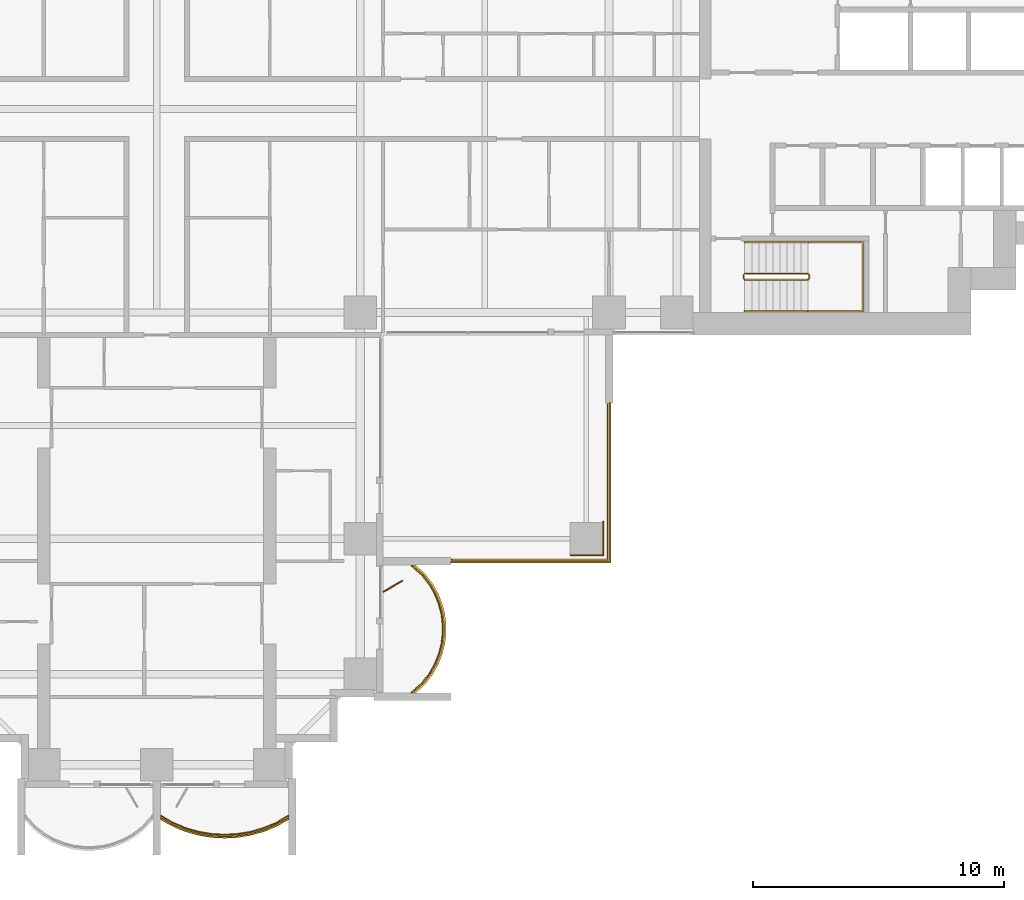
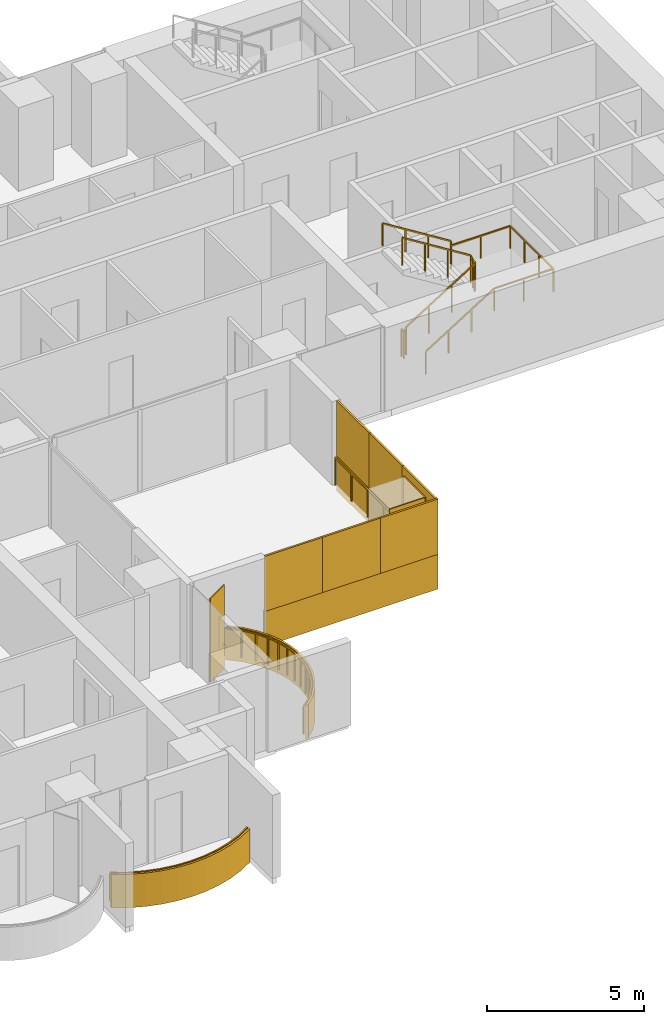
# One storey, part 19 of 21: 11 coverings, 5 railings, 1 shading device.
"""IFC4 building model written with IfcOpenShell, lengths in metres."""

from ifc_helpers import new_model, si_unit, direction, frame, origin, origin_2d, place, context, subcontext, project, spatial, polyline, rectangle, outline, extrude, material, layer, layer_set, type_object, element, save


model = new_model("IFC4")

# Units and contexts
model_context = context("Model", 3, precision=1e-05, world=origin(), true_north=direction((0.0, 1.0)))
body_context = subcontext(model_context, "Body", "Model", "MODEL_VIEW")
ifc_project = project(units=[si_unit("LENGTHUNIT", "METRE"), si_unit("AREAUNIT", "SQUARE_METRE"), si_unit("VOLUMEUNIT", "CUBIC_METRE"), si_unit("PLANEANGLEUNIT", "RADIAN"), si_unit("MASSUNIT", "GRAM", prefix="KILO")], contexts=[model_context])

# Site, building, storey
site_placement = place(None, origin())
site = spatial("IfcSite", under=ifc_project, at=site_placement, CompositionType="ELEMENT")
building_placement = place(site_placement, origin())
building = spatial("IfcBuilding", under=site, at=building_placement, Name="Perihelion Cross Residences", CompositionType="ELEMENT")
storey_placement = place(building_placement, frame((0.0, 0.0, 40.0)))
storey = spatial("IfcBuildingStorey", under=building, at=storey_placement, Name="L06", CompositionType="ELEMENT", Elevation=40.0)

# Coverings
ifc_material_1 = material(Name="Bronze anodised aluminium", Category="aluminium")
ifc_layer_1 = layer(ifc_material_1, 0.070068359375)
ifc_layer_set_1 = layer_set([ifc_layer_1], Name="Balcony fascia 1300")
covering_type_1 = type_object("IfcCoveringType", Name="Balcony fascia 1300", PredefinedType="CLADDING", material=ifc_layer_set_1)
covering_1_placement = place(storey_placement, frame((0.0, 0.0, -0.199951171875)))
element("IfcCovering", 1, at=covering_1_placement, inside=storey, type_object=covering_type_1, Name="Fascia BF1 L06 south tip south bay 2", PredefinedType="CLADDING", context=body_context, shape_type="SweptSolid", body=[
    extrude(outline(polyline([(0.629638671875, -28.54833984375), (1.147216796875, -28.7607421875), (1.664794921875, -28.906494140625), (2.182373046875, -28.991943359375), (2.699951171875, -29.02001953125), (3.217529296875, -28.991943359375), (3.735107421875, -28.906494140625), (4.2529296875, -28.7607421875), (4.7705078125, -28.54833984375), (5.25, -28.2802734375), (5.25, -28.199951171875), (4.739990234375, -28.4853515625), (4.22998046875, -28.694580078125), (3.719970703125, -28.838134765625), (3.2099609375, -28.92236328125), (2.699951171875, -28.949951171875), (2.18994140625, -28.92236328125), (1.679931640625, -28.838134765625), (1.169921875, -28.694580078125), (0.659912109375, -28.4853515625), (0.14990234375, -28.199951171875), (0.14990234375, -28.2802734375), (0.629638671875, -28.54833984375)])), origin(), (0.0, 0.0, 1.0), 1.300048828125),
])
covering_2_placement = place(storey_placement, frame((0.0, 0.0, -0.199951171875)))
element("IfcCovering", 2, at=covering_2_placement, inside=storey, type_object=covering_type_1, Name="Fascia BF1 L06 south side east bay 1", PredefinedType="CLADDING", context=body_context, shape_type="SweptSolid", body=[
    extrude(outline(polyline([(10.674072265625, -22.90478515625), (10.982666015625, -22.50390625), (11.20654296875, -22.10302734375), (11.364013671875, -21.7021484375), (11.464599609375, -21.30126953125), (11.513916015625, -20.900390625), (11.513916015625, -20.49951171875), (11.464599609375, -20.0986328125), (11.364013671875, -19.69775390625), (11.20654296875, -19.296875), (10.982666015625, -18.89599609375), (10.674072265625, -18.4951171875), (10.302734375, -18.14990234375), (10.199951171875, -18.14990234375), (10.622314453125, -18.542236328125), (10.924072265625, -18.9345703125), (11.143310546875, -19.326904296875), (11.29736328125, -19.71923828125), (11.39599609375, -20.111572265625), (11.444091796875, -20.50390625), (11.444091796875, -20.896240234375), (11.39599609375, -21.28857421875), (11.29736328125, -21.6806640625), (11.143310546875, -22.072998046875), (10.924072265625, -22.46533203125), (10.622314453125, -22.857666015625), (10.199951171875, -23.25), (10.302734375, -23.25), (10.674072265625, -22.90478515625)])), origin(), (0.0, 0.0, 1.0), 1.300048828125),
])

# Railings
ifc_material_2 = material(Name="Bronze anodised aluminium", Category="aluminium")
railing_type_1 = type_object("IfcRailingType", Name="Balcony guard 1100", PredefinedType="GUARDRAIL", material=ifc_material_2)
railing_1_placement = place(storey_placement, frame((0.175048828125, -28.139892578125, 0.0)))
element("IfcRailing", 3, at=railing_1_placement, inside=storey, type_object=railing_type_1, Name="Guard GU1 L06 south tip south bay 2 balcony", PredefinedType="GUARDRAIL", context=body_context, shape_type="SweptSolid", body=[
    extrude(rectangle(XDim=0.048095703125, YDim=0.048095703125, at=origin_2d()), frame((0.0, 0.0, 1.076171875), z_axis=(0.861789164031, -0.507266632806, 0.0), x_axis=(0.507266632806, 0.861789164031, 0.0)), (0.0, 0.0, 1.0), 0.562744140625),
    extrude(rectangle(XDim=0.048095703125, YDim=0.048095703125, at=origin_2d()), frame((0.48486328125, -0.285400390625, 1.076171875), z_axis=(0.925172605972, -0.379546636342, 0.0), x_axis=(0.379546636342, 0.925172605972, 0.0)), (0.0, 0.0, 1.0), 0.55126953125),
    extrude(rectangle(XDim=0.048095703125, YDim=0.048095703125, at=origin_2d()), frame((0.994873046875, -0.49462890625, 1.076171875), z_axis=(0.962474364231, -0.271372618732, 0.0), x_axis=(0.271372618732, 0.962474364231, 0.0)), (0.0, 0.0, 1.0), 0.52978515625),
    extrude(rectangle(XDim=0.048095703125, YDim=0.048095703125, at=origin_2d()), frame((1.5048828125, -0.638427734375, 1.076171875), z_axis=(0.986711211531, -0.162483799314, 0.0), x_axis=(0.162483799314, 0.986711211531, 0.0)), (0.0, 0.0, 1.0), 0.516845703125),
    extrude(rectangle(XDim=0.048095703125, YDim=0.048095703125, at=origin_2d()), frame((2.014892578125, -0.722412109375, 1.076171875), z_axis=(0.998540183677, -0.05401390175, 0.0), x_axis=(0.05401390175, 0.998540183677, 0.0)), (0.0, 0.0, 1.0), 0.5107421875),
    extrude(rectangle(XDim=0.048095703125, YDim=0.048095703125, at=origin_2d()), frame((2.52490234375, -0.75, 1.076171875), z_axis=(0.998540183677, 0.05401390175, 0.0), x_axis=(-0.05401390175, 0.998540183677, 0.0)), (0.0, 0.0, 1.0), 0.5107421875),
    extrude(rectangle(XDim=0.048095703125, YDim=0.048095703125, at=origin_2d()), frame((3.034912109375, -0.722412109375, 1.076171875), z_axis=(0.986711211531, 0.162483799314, 0.0), x_axis=(-0.162483799314, 0.986711211531, 0.0)), (0.0, 0.0, 1.0), 0.516845703125),
    extrude(rectangle(XDim=0.048095703125, YDim=0.048095703125, at=origin_2d()), frame((3.544921875, -0.638427734375, 1.076171875), z_axis=(0.962474364231, 0.271372618732, 0.0), x_axis=(-0.271372618732, 0.962474364231, 0.0)), (0.0, 0.0, 1.0), 0.52978515625),
    extrude(rectangle(XDim=0.048095703125, YDim=0.048095703125, at=origin_2d()), frame((4.054931640625, -0.49462890625, 1.076171875), z_axis=(0.925172605972, 0.379546636342, 0.0), x_axis=(-0.379546636342, 0.925172605972, 0.0)), (0.0, 0.0, 1.0), 0.55126953125),
    extrude(rectangle(XDim=0.048095703125, YDim=0.048095703125, at=origin_2d()), frame((4.56494140625, -0.285400390625, 1.076171875), z_axis=(0.861900760591, 0.507076995033, 0.0), x_axis=(-0.507076995033, 0.861900760591, 0.0)), (0.0, 0.0, 1.0), 0.562744140625),
    extrude(rectangle(XDim=0.0419921875, YDim=0.0419921875, at=origin_2d()), origin(), (0.0, 0.0, 1.0), 1.052001953125),
    extrude(rectangle(XDim=0.0419921875, YDim=0.0419921875, at=origin_2d()), frame((0.48486328125, -0.285400390625, 0.0)), (0.0, 0.0, 1.0), 1.052001953125),
    extrude(rectangle(XDim=0.0419921875, YDim=0.0419921875, at=origin_2d()), frame((0.994873046875, -0.49462890625, 0.0)), (0.0, 0.0, 1.0), 1.052001953125),
    extrude(rectangle(XDim=0.0419921875, YDim=0.0419921875, at=origin_2d()), frame((1.5048828125, -0.638427734375, 0.0)), (0.0, 0.0, 1.0), 1.052001953125),
    extrude(rectangle(XDim=0.0419921875, YDim=0.0419921875, at=origin_2d()), frame((2.014892578125, -0.722412109375, 0.0)), (0.0, 0.0, 1.0), 1.052001953125),
    extrude(rectangle(XDim=0.0419921875, YDim=0.0419921875, at=origin_2d()), frame((2.52490234375, -0.75, 0.0)), (0.0, 0.0, 1.0), 1.052001953125),
    extrude(rectangle(XDim=0.0419921875, YDim=0.0419921875, at=origin_2d()), frame((3.034912109375, -0.722412109375, 0.0)), (0.0, 0.0, 1.0), 1.052001953125),
    extrude(rectangle(XDim=0.0419921875, YDim=0.0419921875, at=origin_2d()), frame((3.544921875, -0.638427734375, 0.0)), (0.0, 0.0, 1.0), 1.052001953125),
    extrude(rectangle(XDim=0.0419921875, YDim=0.0419921875, at=origin_2d()), frame((4.054931640625, -0.49462890625, 0.0)), (0.0, 0.0, 1.0), 1.052001953125),
    extrude(rectangle(XDim=0.0419921875, YDim=0.0419921875, at=origin_2d()), frame((4.56494140625, -0.285400390625, 0.0)), (0.0, 0.0, 1.0), 1.052001953125),
    extrude(rectangle(XDim=0.0419921875, YDim=0.0419921875, at=origin_2d()), frame((5.050048828125, 0.0, 0.0)), (0.0, 0.0, 1.0), 1.052001953125),
])
railing_2_placement = place(storey_placement, frame((10.139892578125, -23.22509765625, 0.0)))
element("IfcRailing", 4, at=railing_2_placement, inside=storey, type_object=railing_type_1, Name="Guard GU1 L06 south side east bay 1 balcony", PredefinedType="GUARDRAIL", context=body_context, shape_type="SweptSolid", body=[
    extrude(rectangle(XDim=0.048095703125, YDim=0.048095703125, at=origin_2d()), frame((0.0, 0.0, 1.076171875), z_axis=(0.754464673757, 0.656340655493, 0.0), x_axis=(-0.656340655493, 0.754464673757, 0.0)), (0.0, 0.0, 1.0), 0.559814453125),
    extrude(rectangle(XDim=0.048095703125, YDim=0.048095703125, at=origin_2d()), frame((0.42236328125, 0.367431640625, 1.076171875), z_axis=(0.60966308455, 0.792660660899, 0.0), x_axis=(-0.792660660899, 0.60966308455, 0.0)), (0.0, 0.0, 1.0), 0.494873046875),
    extrude(rectangle(XDim=0.048095703125, YDim=0.048095703125, at=origin_2d()), frame((0.72412109375, 0.759765625, 1.076171875), z_axis=(0.487809182674, 0.872950285698, 0.0), x_axis=(-0.872950285698, 0.487809182674, 0.0)), (0.0, 0.0, 1.0), 0.449462890625),
    extrude(rectangle(XDim=0.048095703125, YDim=0.048095703125, at=origin_2d()), frame((0.943359375, 1.152099609375, 1.076171875), z_axis=(0.365491079925, 0.930814842219, 0.0), x_axis=(-0.930814842219, 0.365491079925, 0.0)), (0.0, 0.0, 1.0), 0.42138671875),
    extrude(rectangle(XDim=0.048095703125, YDim=0.048095703125, at=origin_2d()), frame((1.097412109375, 1.54443359375, 1.076171875), z_axis=(0.243956193074, 0.969786252666, 0.0), x_axis=(-0.969786252666, 0.243956193074, 0.0)), (0.0, 0.0, 1.0), 0.404296875),
    extrude(rectangle(XDim=0.048095703125, YDim=0.048095703125, at=origin_2d()), frame((1.196044921875, 1.9365234375, 1.076171875), z_axis=(0.121677797999, 0.992569651699, 0.0), x_axis=(-0.992569651699, 0.121677797999, 0.0)), (0.0, 0.0, 1.0), 0.395263671875),
    extrude(rectangle(XDim=0.048095703125, YDim=0.048095703125, at=origin_2d()), frame((1.244140625, 2.328857421875, 1.076171875), z_axis=(0.0, 1.0, 0.0), x_axis=(-1.0, 0.0, 0.0)), (0.0, 0.0, 1.0), 0.392333984375),
    extrude(rectangle(XDim=0.048095703125, YDim=0.048095703125, at=origin_2d()), frame((1.244140625, 2.72119140625, 1.076171875), z_axis=(-0.121677797999, 0.992569651699, 0.0), x_axis=(-0.992569651699, -0.121677797999, 0.0)), (0.0, 0.0, 1.0), 0.395263671875),
    extrude(rectangle(XDim=0.048095703125, YDim=0.048095703125, at=origin_2d()), frame((1.196044921875, 3.113525390625, 1.076171875), z_axis=(-0.243813411509, 0.969822159145, 0.0), x_axis=(-0.969822159145, -0.243813411509, 0.0)), (0.0, 0.0, 1.0), 0.404541015625),
    extrude(rectangle(XDim=0.048095703125, YDim=0.048095703125, at=origin_2d()), frame((1.097412109375, 3.505859375, 1.076171875), z_axis=(-0.365491079925, 0.930814842219, 0.0), x_axis=(-0.930814842219, -0.365491079925, 0.0)), (0.0, 0.0, 1.0), 0.42138671875),
    extrude(rectangle(XDim=0.048095703125, YDim=0.048095703125, at=origin_2d()), frame((0.943359375, 3.898193359375, 1.076171875), z_axis=(-0.487809182674, 0.872950285698, 0.0), x_axis=(-0.872950285698, -0.487809182674, 0.0)), (0.0, 0.0, 1.0), 0.449462890625),
    extrude(rectangle(XDim=0.048095703125, YDim=0.048095703125, at=origin_2d()), frame((0.72412109375, 4.29052734375, 1.076171875), z_axis=(-0.60966308455, 0.792660660899, 0.0), x_axis=(-0.792660660899, -0.60966308455, 0.0)), (0.0, 0.0, 1.0), 0.494873046875),
    extrude(rectangle(XDim=0.048095703125, YDim=0.048095703125, at=origin_2d()), frame((0.42236328125, 4.682861328125, 1.076171875), z_axis=(-0.754680648599, 0.656092309534, 0.0), x_axis=(-0.656092309534, -0.754680648599, 0.0)), (0.0, 0.0, 1.0), 0.5595703125),
    extrude(rectangle(XDim=0.0419921875, YDim=0.0419921875, at=origin_2d()), origin(), (0.0, 0.0, 1.0), 1.052001953125),
    extrude(rectangle(XDim=0.0419921875, YDim=0.0419921875, at=origin_2d()), frame((0.42236328125, 0.367431640625, 0.0)), (0.0, 0.0, 1.0), 1.052001953125),
    extrude(rectangle(XDim=0.0419921875, YDim=0.0419921875, at=origin_2d()), frame((0.72412109375, 0.759765625, 0.0)), (0.0, 0.0, 1.0), 1.052001953125),
    extrude(rectangle(XDim=0.0419921875, YDim=0.0419921875, at=origin_2d()), frame((0.943359375, 1.152099609375, 0.0)), (0.0, 0.0, 1.0), 1.052001953125),
    extrude(rectangle(XDim=0.0419921875, YDim=0.0419921875, at=origin_2d()), frame((1.097412109375, 1.54443359375, 0.0)), (0.0, 0.0, 1.0), 1.052001953125),
    extrude(rectangle(XDim=0.0419921875, YDim=0.0419921875, at=origin_2d()), frame((1.196044921875, 1.9365234375, 0.0)), (0.0, 0.0, 1.0), 1.052001953125),
    extrude(rectangle(XDim=0.0419921875, YDim=0.0419921875, at=origin_2d()), frame((1.244140625, 2.328857421875, 0.0)), (0.0, 0.0, 1.0), 1.052001953125),
    extrude(rectangle(XDim=0.0419921875, YDim=0.0419921875, at=origin_2d()), frame((1.244140625, 2.72119140625, 0.0)), (0.0, 0.0, 1.0), 1.052001953125),
    extrude(rectangle(XDim=0.0419921875, YDim=0.0419921875, at=origin_2d()), frame((1.196044921875, 3.113525390625, 0.0)), (0.0, 0.0, 1.0), 1.052001953125),
    extrude(rectangle(XDim=0.0419921875, YDim=0.0419921875, at=origin_2d()), frame((1.097412109375, 3.505859375, 0.0)), (0.0, 0.0, 1.0), 1.052001953125),
    extrude(rectangle(XDim=0.0419921875, YDim=0.0419921875, at=origin_2d()), frame((0.943359375, 3.898193359375, 0.0)), (0.0, 0.0, 1.0), 1.052001953125),
    extrude(rectangle(XDim=0.0419921875, YDim=0.0419921875, at=origin_2d()), frame((0.72412109375, 4.29052734375, 0.0)), (0.0, 0.0, 1.0), 1.052001953125),
    extrude(rectangle(XDim=0.0419921875, YDim=0.0419921875, at=origin_2d()), frame((0.42236328125, 4.682861328125, 0.0)), (0.0, 0.0, 1.0), 1.052001953125),
    extrude(rectangle(XDim=0.0419921875, YDim=0.0419921875, at=origin_2d()), frame((0.0, 5.050048828125, 0.0)), (0.0, 0.0, 1.0), 1.052001953125),
])
railing_3_placement = place(storey_placement, frame((17.93994140625, -11.739990234375, 0.0)))
element("IfcRailing", 5, at=railing_3_placement, inside=storey, type_object=railing_type_1, Name="Guard GU1 L06 pocket south-east 1", PredefinedType="GUARDRAIL", context=body_context, shape_type="SweptSolid", body=[
    extrude(rectangle(XDim=0.048095703125, YDim=0.048095703125, at=origin_2d()), frame((0.0, 0.0, 1.076171875), z_axis=(0.0, -1.0, 0.0), x_axis=(1.0, 0.0, 0.0)), (0.0, 0.0, 1.0), 6.199951171875),
    extrude(rectangle(XDim=0.048095703125, YDim=0.048095703125, at=origin_2d()), frame((0.0, -6.199951171875, 1.076171875), z_axis=(-1.0, 0.0, 0.0), x_axis=(0.0, -1.0, 0.0)), (0.0, 0.0, 1.0), 6.199951171875),
    extrude(rectangle(XDim=0.0419921875, YDim=0.0419921875, at=origin_2d()), origin(), (0.0, 0.0, 1.0), 1.052001953125),
    extrude(rectangle(XDim=0.0419921875, YDim=0.0419921875, at=origin_2d()), frame((0.0, -1.033203125, 0.0)), (0.0, 0.0, 1.0), 1.052001953125),
    extrude(rectangle(XDim=0.0419921875, YDim=0.0419921875, at=origin_2d()), frame((0.0, -2.066650390625, 0.0)), (0.0, 0.0, 1.0), 1.052001953125),
    extrude(rectangle(XDim=0.0419921875, YDim=0.0419921875, at=origin_2d()), frame((0.0, -3.10009765625, 0.0)), (0.0, 0.0, 1.0), 1.052001953125),
    extrude(rectangle(XDim=0.0419921875, YDim=0.0419921875, at=origin_2d()), frame((0.0, -4.13330078125, 0.0)), (0.0, 0.0, 1.0), 1.052001953125),
    extrude(rectangle(XDim=0.0419921875, YDim=0.0419921875, at=origin_2d()), frame((0.0, -5.16650390625, 0.0)), (0.0, 0.0, 1.0), 1.052001953125),
    extrude(rectangle(XDim=0.0419921875, YDim=0.0419921875, at=origin_2d()), frame((0.0, -6.199951171875, 0.0)), (0.0, 0.0, 1.0), 1.052001953125),
    extrude(rectangle(XDim=0.0419921875, YDim=0.0419921875, at=origin_2d()), frame((-1.033203125, -6.199951171875, 0.0)), (0.0, 0.0, 1.0), 1.052001953125),
    extrude(rectangle(XDim=0.0419921875, YDim=0.0419921875, at=origin_2d()), frame((-2.066650390625, -6.199951171875, 0.0)), (0.0, 0.0, 1.0), 1.052001953125),
    extrude(rectangle(XDim=0.0419921875, YDim=0.0419921875, at=origin_2d()), frame((-3.10009765625, -6.199951171875, 0.0)), (0.0, 0.0, 1.0), 1.052001953125),
    extrude(rectangle(XDim=0.0419921875, YDim=0.0419921875, at=origin_2d()), frame((-4.13330078125, -6.199951171875, 0.0)), (0.0, 0.0, 1.0), 1.052001953125),
    extrude(rectangle(XDim=0.0419921875, YDim=0.0419921875, at=origin_2d()), frame((-5.16650390625, -6.199951171875, 0.0)), (0.0, 0.0, 1.0), 1.052001953125),
    extrude(rectangle(XDim=0.0419921875, YDim=0.0419921875, at=origin_2d()), frame((-6.199951171875, -6.199951171875, 0.0)), (0.0, 0.0, 1.0), 1.052001953125),
])

# Coverings
ifc_material_3 = material(Name="Bronze anodised aluminium", Category="aluminium")
ifc_layer_2 = layer(ifc_material_3, 0.0400390625)
ifc_layer_set_2 = layer_set([ifc_layer_2], Name="Bronze column casing 40")
covering_type_2 = type_object("IfcCoveringType", Name="Bronze column casing 40", PredefinedType="CLADDING", material=ifc_layer_set_2)
covering_3_placement = place(storey_placement, frame((17.77001953125, -17.10009765625, -0.25), z_axis=(0.0, 0.0, 1.0), x_axis=(1.0, 0.0, 0.0)))
element("IfcCovering", 6, at=covering_3_placement, inside=storey, type_object=covering_type_2, Name="Cladding CC1 L06 casing east-west no. 3", PredefinedType="CLADDING", context=body_context, shape_type="SweptSolid", body=[
    extrude(rectangle(XDim=0.0400390625, YDim=1.3798828125, at=origin_2d()), origin(), (0.0, 0.0, 1.0), 3.5),
])
covering_4_placement = place(storey_placement, frame((17.10009765625, -17.77001953125, -0.25), z_axis=(0.0, 0.0, 1.0), x_axis=(1.0, 0.0, 0.0)))
element("IfcCovering", 7, at=covering_4_placement, inside=storey, type_object=covering_type_2, Name="Cladding CC1 L06 casing north-south no. 3", PredefinedType="CLADDING", context=body_context, shape_type="SweptSolid", body=[
    extrude(rectangle(XDim=1.300048828125, YDim=0.0400390625, at=origin_2d()), origin(), (0.0, 0.0, 1.0), 3.5),
])

# Shading device
ifc_material_4 = material(Name="Bronze anodised aluminium", Category="aluminium")
ifc_layer_3 = layer(ifc_material_4, 0.050048828125)
ifc_layer_set_3 = layer_set([ifc_layer_3], Name="Bronze fin 900")
shading_device_type = type_object("IfcShadingDeviceType", Name="Bronze fin 900", PredefinedType="USERDEFINED", material=ifc_layer_set_3)
shading_device_placement = place(storey_placement, frame((9.3896484375, -19.0, 0.0), z_axis=(0.0, 0.0, 1.0), x_axis=(0.866025403784, 0.5, 0.0)))
element("IfcShadingDevice", 8, at=shading_device_placement, inside=storey, type_object=shading_device_type, Name="Fin FN1 L06 south side east bay 1", ObjectType="FIN", PredefinedType="USERDEFINED", context=body_context, shape_type="SweptSolid", body=[
    extrude(rectangle(XDim=0.89990234375, YDim=0.050048828125, at=origin_2d()), origin(), (0.0, 0.0, 1.0), 3.25),
])

# Coverings
ifc_material_5 = material(Name="Bronze anodised aluminium", Category="aluminium")
ifc_layer_4 = layer(ifc_material_5, 0.070068359375)
ifc_layer_set_4 = layer_set([ifc_layer_4], Name="Pocket fascia 1350")
covering_type_3 = type_object("IfcCoveringType", Name="Pocket fascia 1350", PredefinedType="CLADDING", material=ifc_layer_set_4)
covering_5_placement = place(storey_placement, frame((0.0, 0.0, -0.25)))
element("IfcCovering", 9, at=covering_5_placement, inside=storey, type_object=covering_type_3, Name="Fascia BF2 L06 pocket south-east 3", PredefinedType="CLADDING", context=body_context, shape_type="SweptSolid", body=[
    extrude(outline(polyline([(18.070068359375, -18.070068359375), (18.070068359375, -11.699951171875), (18.0, -11.699951171875), (18.0, -18.0), (11.699951171875, -18.0), (11.699951171875, -18.070068359375), (18.070068359375, -18.070068359375)])), origin(), (0.0, 0.0, 1.0), 1.35009765625),
])
ifc_material_6 = material(Name="Bronze perforated aluminium", Category="aluminium")
ifc_layer_5 = layer(ifc_material_6, 0.070068359375)
ifc_layer_set_5 = layer_set([ifc_layer_5], Name="Pocket solar screen, bronze perforated")
covering_type_4 = type_object("IfcCoveringType", Name="Pocket solar screen, bronze perforated", PredefinedType="CLADDING", material=ifc_layer_set_5)
covering_6_placement = place(storey_placement, frame((0.0, 0.0, 1.10009765625)))
element("IfcCovering", 10, at=covering_6_placement, inside=storey, type_object=covering_type_4, Name="Solar screen PS1 L06 pocket south-east no. 1", PredefinedType="CLADDING", context=body_context, shape_type="SweptSolid", body=[
    extrude(outline(polyline([(18.070068359375, -18.0), (18.070068359375, -15.89990234375), (18.0, -15.89990234375), (18.0, -18.0), (18.070068359375, -18.0)])), origin(), (0.0, 0.0, 1.0), 2.14990234375),
])
covering_7_placement = place(storey_placement, frame((0.0, 0.0, 1.10009765625)))
element("IfcCovering", 11, at=covering_7_placement, inside=storey, type_object=covering_type_4, Name="Solar screen PS1 L06 pocket south-east no. 2", PredefinedType="CLADDING", context=body_context, shape_type="SweptSolid", body=[
    extrude(outline(polyline([(18.070068359375, -15.89990234375), (18.070068359375, -13.800048828125), (18.0, -13.800048828125), (18.0, -15.89990234375), (18.070068359375, -15.89990234375)])), origin(), (0.0, 0.0, 1.0), 2.14990234375),
])
covering_8_placement = place(storey_placement, frame((0.0, 0.0, 1.10009765625)))
element("IfcCovering", 12, at=covering_8_placement, inside=storey, type_object=covering_type_4, Name="Solar screen PS1 L06 pocket south-east no. 3", PredefinedType="CLADDING", context=body_context, shape_type="SweptSolid", body=[
    extrude(outline(polyline([(18.070068359375, -13.800048828125), (18.070068359375, -11.699951171875), (18.0, -11.699951171875), (18.0, -13.800048828125), (18.070068359375, -13.800048828125)])), origin(), (0.0, 0.0, 1.0), 2.14990234375),
])
covering_9_placement = place(storey_placement, frame((0.0, 0.0, 1.10009765625)))
element("IfcCovering", 13, at=covering_9_placement, inside=storey, type_object=covering_type_4, Name="Solar screen PS1 L06 pocket south-east no. 4", PredefinedType="CLADDING", context=body_context, shape_type="SweptSolid", body=[
    extrude(outline(polyline([(13.8232421875, -18.070068359375), (13.8232421875, -18.0), (11.699951171875, -18.0), (11.699951171875, -18.070068359375), (13.8232421875, -18.070068359375)])), origin(), (0.0, 0.0, 1.0), 2.14990234375),
])
covering_10_placement = place(storey_placement, frame((0.0, 0.0, 1.10009765625)))
element("IfcCovering", 14, at=covering_10_placement, inside=storey, type_object=covering_type_4, Name="Solar screen PS1 L06 pocket south-east no. 5", PredefinedType="CLADDING", context=body_context, shape_type="SweptSolid", body=[
    extrude(outline(polyline([(15.94677734375, -18.070068359375), (15.94677734375, -18.0), (13.8232421875, -18.0), (13.8232421875, -18.070068359375), (15.94677734375, -18.070068359375)])), origin(), (0.0, 0.0, 1.0), 2.14990234375),
])
covering_11_placement = place(storey_placement, frame((0.0, 0.0, 1.10009765625)))
element("IfcCovering", 15, at=covering_11_placement, inside=storey, type_object=covering_type_4, Name="Solar screen PS1 L06 pocket south-east no. 6", PredefinedType="CLADDING", context=body_context, shape_type="SweptSolid", body=[
    extrude(outline(polyline([(18.070068359375, -18.070068359375), (18.070068359375, -18.0), (15.94677734375, -18.0), (15.94677734375, -18.070068359375), (18.070068359375, -18.070068359375)])), origin(), (0.0, 0.0, 1.0), 2.14990234375),
])

# Railings
ifc_material_7 = material(Name="Stainless steel", Category="steel")
railing_type_2 = type_object("IfcRailingType", Name="Stair guard 1100", PredefinedType="GUARDRAIL", material=ifc_material_7)
railing_4_placement = place(storey_placement, frame((23.35009765625, -6.60009765625, 0.0)))
element("IfcRailing", 16, at=railing_4_placement, inside=storey, type_object=railing_type_2, Name="L06 ST-E2 stair guard 1", PredefinedType="GUARDRAIL", context=body_context, shape_type="SweptSolid", body=[
    extrude(rectangle(XDim=0.048095703125, YDim=0.048095703125, at=origin_2d()), frame((0.0, 0.0, 1.076171875), z_axis=(0.0, -1.0, 0.0), x_axis=(1.0, 0.0, 0.0)), (0.0, 0.0, 1.0), 0.14990234375),
    extrude(rectangle(XDim=0.048095703125, YDim=0.048095703125, at=origin_2d()), frame((0.0, -0.14990234375, 1.076171875), z_axis=(0.263862480399, -0.265155923931, 0.927399011991), x_axis=(0.708833529934, 0.705375805398, 0.0)), (0.0, 0.0, 1.0), 0.188720703125),
    extrude(rectangle(XDim=0.048095703125, YDim=0.048095703125, at=origin_2d()), frame((0.0498046875, -0.199951171875, 1.2509765625), z_axis=(0.848007534815, 0.0, 0.529984170421), x_axis=(0.0, 1.0, 0.0)), (0.0, 0.0, 1.0), 2.9716796875),
    extrude(rectangle(XDim=0.048095703125, YDim=0.048095703125, at=origin_2d()), frame((2.56982421875, -0.199951171875, 2.826171875), z_axis=(0.707106781187, 0.707106781187, 0.0), x_axis=(-0.707106781187, 0.707106781187, 0.0)), (0.0, 0.0, 1.0), 0.07080078125),
    extrude(rectangle(XDim=0.048095703125, YDim=0.048095703125, at=origin_2d()), frame((2.619873046875, -0.14990234375, 2.826171875), z_axis=(0.0, 1.0, 0.0), x_axis=(-1.0, 0.0, 0.0)), (0.0, 0.0, 1.0), 0.14990234375),
    extrude(rectangle(XDim=0.048095703125, YDim=0.048095703125, at=origin_2d()), frame((2.619873046875, 0.0, 2.826171875), z_axis=(-0.265065253269, 0.265065253269, 0.927081885822), x_axis=(-0.707106781187, -0.707106781187, 0.0)), (0.0, 0.0, 1.0), 0.188720703125),
    extrude(rectangle(XDim=0.048095703125, YDim=0.048095703125, at=origin_2d()), frame((2.56982421875, 0.050048828125, 3.0009765625), z_axis=(-0.848007534815, 0.0, 0.529984170421), x_axis=(0.0, -1.0, 0.0)), (0.0, 0.0, 1.0), 2.9716796875),
    extrude(rectangle(XDim=0.0419921875, YDim=0.0419921875, at=origin_2d()), origin(), (0.0, 0.0, 1.0), 1.052001953125),
    extrude(rectangle(XDim=0.0419921875, YDim=0.0419921875, at=origin_2d()), frame((0.0, -0.14990234375, 0.0)), (0.0, 0.0, 1.0), 1.052001953125),
    extrude(rectangle(XDim=0.0419921875, YDim=0.0419921875, at=origin_2d()), frame((0.0498046875, -0.199951171875, 0.175048828125)), (0.0, 0.0, 1.0), 1.052001953125),
    extrude(rectangle(XDim=0.0419921875, YDim=0.0419921875, at=origin_2d()), frame((0.889892578125, -0.199951171875, 0.699951171875)), (0.0, 0.0, 1.0), 1.052001953125),
    extrude(rectangle(XDim=0.0419921875, YDim=0.0419921875, at=origin_2d()), frame((1.729736328125, -0.199951171875, 1.22509765625)), (0.0, 0.0, 1.0), 1.052001953125),
    extrude(rectangle(XDim=0.0419921875, YDim=0.0419921875, at=origin_2d()), frame((2.56982421875, -0.199951171875, 1.75)), (0.0, 0.0, 1.0), 1.052001953125),
    extrude(rectangle(XDim=0.0419921875, YDim=0.0419921875, at=origin_2d()), frame((2.619873046875, -0.14990234375, 1.75)), (0.0, 0.0, 1.0), 1.052001953125),
    extrude(rectangle(XDim=0.0419921875, YDim=0.0419921875, at=origin_2d()), frame((2.619873046875, 0.0, 1.75)), (0.0, 0.0, 1.0), 1.052001953125),
    extrude(rectangle(XDim=0.0419921875, YDim=0.0419921875, at=origin_2d()), frame((2.56982421875, 0.050048828125, 1.925048828125)), (0.0, 0.0, 1.0), 1.052001953125),
    extrude(rectangle(XDim=0.0419921875, YDim=0.0419921875, at=origin_2d()), frame((1.729736328125, 0.050048828125, 2.449951171875)), (0.0, 0.0, 1.0), 1.052001953125),
    extrude(rectangle(XDim=0.0419921875, YDim=0.0419921875, at=origin_2d()), frame((0.889892578125, 0.050048828125, 2.97509765625)), (0.0, 0.0, 1.0), 1.052001953125),
    extrude(rectangle(XDim=0.0419921875, YDim=0.0419921875, at=origin_2d()), frame((0.0498046875, 0.050048828125, 3.5)), (0.0, 0.0, 1.0), 1.052001953125),
])
ifc_material_8 = material(Name="Stainless steel", Category="steel")
railing_type_3 = type_object("IfcRailingType", Name="Stair handrail 900", PredefinedType="HANDRAIL", material=ifc_material_8)
railing_5_placement = place(storey_placement, frame((23.39990234375, -8.050048828125, 0.175048828125)))
element("IfcRailing", 17, at=railing_5_placement, inside=storey, type_object=railing_type_3, Name="L06 ST-E2 stair handrail 1", PredefinedType="HANDRAIL", context=body_context, shape_type="SweptSolid", body=[
    extrude(rectangle(XDim=0.048095703125, YDim=0.048095703125, at=origin_2d()), frame((0.0, 0.0, 0.8759765625), z_axis=(0.848007534815, 0.0, 0.529984170421), x_axis=(0.0, 1.0, 0.0)), (0.0, 0.0, 1.0), 2.9716796875),
    extrude(rectangle(XDim=0.048095703125, YDim=0.048095703125, at=origin_2d()), frame((2.52001953125, 0.0, 2.45068359375), z_axis=(1.0, 0.0, 0.0), x_axis=(0.0, 1.0, 0.0)), (0.0, 0.0, 1.0), 2.18017578125),
    extrude(rectangle(XDim=0.048095703125, YDim=0.048095703125, at=origin_2d()), frame((4.7001953125, 0.0, 2.45068359375), z_axis=(0.0, 1.0, 0.0), x_axis=(-1.0, 0.0, 0.0)), (0.0, 0.0, 1.0), 2.75),
    extrude(rectangle(XDim=0.048095703125, YDim=0.048095703125, at=origin_2d()), frame((4.7001953125, 2.75, 2.45068359375), z_axis=(-1.0, 0.0, 0.0), x_axis=(0.0, -1.0, 0.0)), (0.0, 0.0, 1.0), 2.18017578125),
    extrude(rectangle(XDim=0.048095703125, YDim=0.048095703125, at=origin_2d()), frame((2.52001953125, 2.75, 2.45068359375), z_axis=(0.0, 0.0, 1.0), x_axis=(1.0, 0.0, 0.0)), (0.0, 0.0, 1.0), 0.175048828125),
    extrude(rectangle(XDim=0.048095703125, YDim=0.048095703125, at=origin_2d()), frame((2.52001953125, 2.75, 2.6259765625), z_axis=(-0.848007534815, 0.0, 0.529984170421), x_axis=(0.0, -1.0, 0.0)), (0.0, 0.0, 1.0), 2.9716796875),
    extrude(rectangle(XDim=0.0419921875, YDim=0.0419921875, at=origin_2d()), origin(), (0.0, 0.0, 1.0), 0.851806640625),
    extrude(rectangle(XDim=0.0419921875, YDim=0.0419921875, at=origin_2d()), frame((0.840087890625, 0.0, 0.52490234375)), (0.0, 0.0, 1.0), 0.851806640625),
    extrude(rectangle(XDim=0.0419921875, YDim=0.0419921875, at=origin_2d()), frame((1.679931640625, 0.0, 1.050048828125)), (0.0, 0.0, 1.0), 0.851806640625),
    extrude(rectangle(XDim=0.0419921875, YDim=0.0419921875, at=origin_2d()), frame((2.52001953125, 0.0, 1.574951171875)), (0.0, 0.0, 1.0), 0.851806640625),
    extrude(rectangle(XDim=0.0419921875, YDim=0.0419921875, at=origin_2d()), frame((3.610107421875, 0.0, 1.574951171875)), (0.0, 0.0, 1.0), 0.851806640625),
    extrude(rectangle(XDim=0.0419921875, YDim=0.0419921875, at=origin_2d()), frame((4.7001953125, 0.0, 1.574951171875)), (0.0, 0.0, 1.0), 0.851806640625),
    extrude(rectangle(XDim=0.0419921875, YDim=0.0419921875, at=origin_2d()), frame((4.7001953125, 0.916748046875, 1.574951171875)), (0.0, 0.0, 1.0), 0.851806640625),
    extrude(rectangle(XDim=0.0419921875, YDim=0.0419921875, at=origin_2d()), frame((4.7001953125, 1.833251953125, 1.574951171875)), (0.0, 0.0, 1.0), 0.851806640625),
    extrude(rectangle(XDim=0.0419921875, YDim=0.0419921875, at=origin_2d()), frame((4.7001953125, 2.75, 1.574951171875)), (0.0, 0.0, 1.0), 0.851806640625),
    extrude(rectangle(XDim=0.0419921875, YDim=0.0419921875, at=origin_2d()), frame((3.610107421875, 2.75, 1.574951171875)), (0.0, 0.0, 1.0), 0.851806640625),
    extrude(rectangle(XDim=0.0419921875, YDim=0.0419921875, at=origin_2d()), frame((2.52001953125, 2.75, 1.574951171875)), (0.0, 0.0, 1.0), 0.851806640625),
    extrude(rectangle(XDim=0.0419921875, YDim=0.0419921875, at=origin_2d()), frame((2.52001953125, 2.75, 1.75)), (0.0, 0.0, 1.0), 0.851806640625),
    extrude(rectangle(XDim=0.0419921875, YDim=0.0419921875, at=origin_2d()), frame((1.679931640625, 2.75, 2.27490234375)), (0.0, 0.0, 1.0), 0.851806640625),
    extrude(rectangle(XDim=0.0419921875, YDim=0.0419921875, at=origin_2d()), frame((0.840087890625, 2.75, 2.800048828125)), (0.0, 0.0, 1.0), 0.851806640625),
    extrude(rectangle(XDim=0.0419921875, YDim=0.0419921875, at=origin_2d()), frame((0.0, 2.75, 3.324951171875)), (0.0, 0.0, 1.0), 0.851806640625),
])

save(model, "model.ifc")
